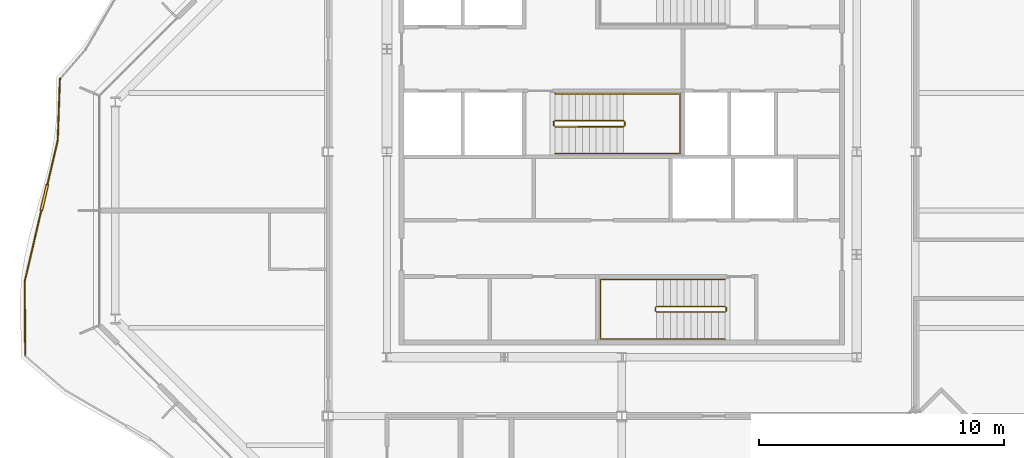
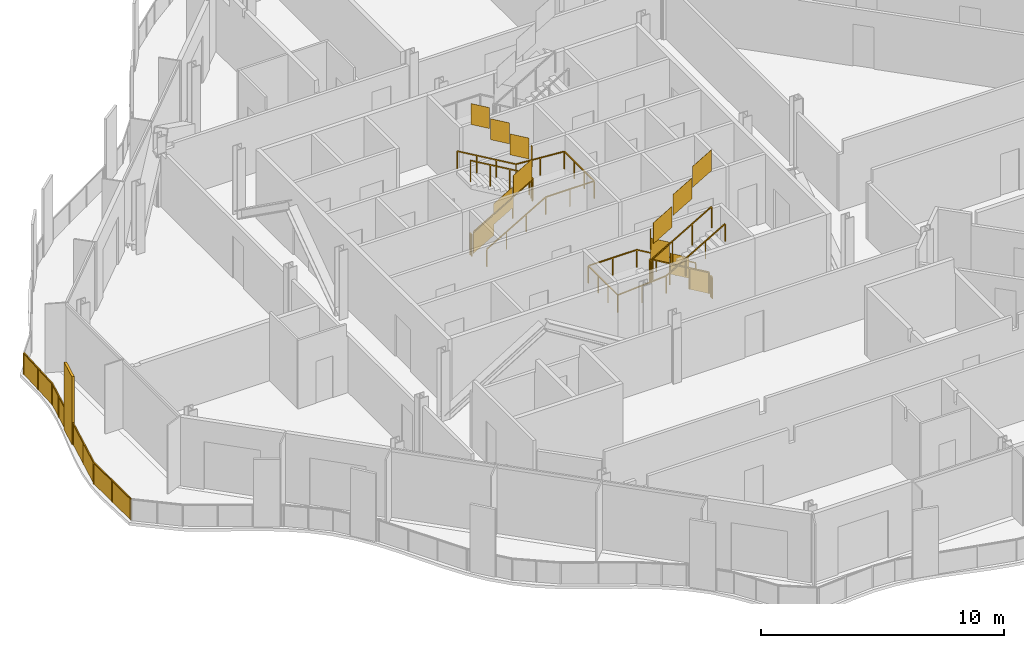
# One storey, part 14 of 17: 7 railings.
"""IFC4 building model written with IfcOpenShell, lengths in metres."""

from ifc_helpers import new_model, si_unit, direction, frame, origin, origin_2d, place, context, subcontext, project, spatial, polyline, rectangle, outline, extrude, material, type_object, element, save


model = new_model("IFC4")

# Units and contexts
model_context = context("Model", 3, precision=1e-05, world=origin(), true_north=direction((0.0, 1.0)))
body_context = subcontext(model_context, "Body", "Model", "MODEL_VIEW")
ifc_project = project(units=[si_unit("LENGTHUNIT", "METRE"), si_unit("AREAUNIT", "SQUARE_METRE"), si_unit("VOLUMEUNIT", "CUBIC_METRE"), si_unit("PLANEANGLEUNIT", "RADIAN"), si_unit("MASSUNIT", "GRAM", prefix="KILO")], contexts=[model_context])

# Site, building, storey
site_placement = place(None, origin())
site = spatial("IfcSite", under=ifc_project, at=site_placement, CompositionType="ELEMENT")
building_placement = place(site_placement, origin())
building = spatial("IfcBuilding", under=site, at=building_placement, Name="Cairn Pilgrim Tower", CompositionType="ELEMENT")
storey_placement = place(building_placement, frame((0.0, 0.0, 239.39990234375)))
storey = spatial("IfcBuildingStorey", under=building, at=storey_placement, Name="L61", CompositionType="ELEMENT", Elevation=239.39990234375)

# Railings
ifc_material_1 = material(Name="Bronze anodised aluminium rail, posts and fin screens with laminated glass infill", Category="aluminium")
railing_type_1 = type_object("IfcRailingType", Name="BALCONY GUARD WITH FIN SCREENS", PredefinedType="GUARDRAIL", material=ifc_material_1)
railing_1_placement = place(storey_placement, frame((-15.768798828125, 5.3701171875, 0.0)))
element("IfcRailing", 1, at=railing_1_placement, inside=storey, type_object=railing_type_1, Name="Balcony guard BGF-7 with fin screens", PredefinedType="GUARDRAIL", context=body_context, shape_type="SweptSolid", body=[
    extrude(rectangle(XDim=0.050048828125, YDim=0.050048828125, at=origin_2d()), frame((0.0, 0.0, 1.0751953125), z_axis=(-0.035480030222, -0.999370385521, 0.0), x_axis=(0.999370385521, -0.035480030222, 0.0)), (0.0, 0.0, 1.0), 2.511474609375),
    extrude(rectangle(XDim=1.10009765625, YDim=0.110107421875, at=origin_2d()), frame((-0.6357421875, -4.841552734375, 0.0), z_axis=(0.0, 0.0, 1.0), x_axis=(-0.22820844639, -0.973612297065, 0.0)), (0.0, 0.0, 1.0), 3.39990234375),
    extrude(rectangle(XDim=0.050048828125, YDim=0.050048828125, at=origin_2d()), frame((-0.089111328125, -2.510009765625, 1.0751953125), z_axis=(-0.22820844639, -0.973612297065, 0.0), x_axis=(0.973612297065, -0.22820844639, 0.0)), (0.0, 0.0, 1.0), 1.8447265625),
    extrude(rectangle(XDim=0.050048828125, YDim=0.050048828125, at=origin_2d()), frame((-0.76123046875, -5.377197265625, 1.0751953125), z_axis=(-0.22820844639, -0.973612297065, 0.0), x_axis=(0.973612297065, -0.22820844639, 0.0)), (0.0, 0.0, 1.0), 2.968017578125),
    extrude(rectangle(XDim=0.050048828125, YDim=0.050048828125, at=origin_2d()), frame((-1.4384765625, -8.266845703125, 1.0751953125), z_axis=(0.006776460996, -0.999977039525, 0.0), x_axis=(0.999977039525, 0.006776460996, 0.0)), (0.0, 0.0, 1.0), 2.990234375),
    extrude(rectangle(XDim=0.050048828125, YDim=0.050048828125, at=origin_2d()), origin(), (0.0, 0.0, 1.0), 1.050048828125),
    extrude(rectangle(XDim=0.050048828125, YDim=0.050048828125, at=origin_2d()), frame((-0.044677734375, -1.2548828125, 0.0)), (0.0, 0.0, 1.0), 1.050048828125),
    extrude(rectangle(XDim=0.050048828125, YDim=0.050048828125, at=origin_2d()), frame((-0.089111328125, -2.510009765625, 0.0)), (0.0, 0.0, 1.0), 1.050048828125),
    extrude(rectangle(XDim=0.050048828125, YDim=0.050048828125, at=origin_2d()), frame((-0.296875, -3.39599609375, 0.0)), (0.0, 0.0, 1.0), 1.050048828125),
    extrude(rectangle(XDim=0.050048828125, YDim=0.050048828125, at=origin_2d()), frame((-0.50439453125, -4.28173828125, 0.0)), (0.0, 0.0, 1.0), 1.050048828125),
    extrude(rectangle(XDim=0.050048828125, YDim=0.050048828125, at=origin_2d()), frame((-0.766845703125, -5.4013671875, 0.0)), (0.0, 0.0, 1.0), 1.050048828125),
    extrude(rectangle(XDim=0.050048828125, YDim=0.050048828125, at=origin_2d()), frame((-1.102783203125, -6.834228515625, 0.0)), (0.0, 0.0, 1.0), 1.050048828125),
    extrude(rectangle(XDim=0.050048828125, YDim=0.050048828125, at=origin_2d()), frame((-1.4384765625, -8.266845703125, 0.0)), (0.0, 0.0, 1.0), 1.050048828125),
    extrude(rectangle(XDim=0.050048828125, YDim=0.050048828125, at=origin_2d()), frame((-1.42822265625, -9.761962890625, 0.0)), (0.0, 0.0, 1.0), 1.050048828125),
    extrude(rectangle(XDim=0.050048828125, YDim=0.050048828125, at=origin_2d()), frame((-1.418212890625, -11.257080078125, 0.0)), (0.0, 0.0, 1.0), 1.050048828125),
    extrude(outline(polyline([(0.02490234375, 0.0), (1.230712890625, 0.0), (1.230712890625, 1.050048828125), (0.02490234375, 1.050048828125), (0.02490234375, 0.0)])), frame((0.005859375, -0.000244140625, 0.0), z_axis=(-0.999370385521, 0.035480030222, 0.0), x_axis=(-0.035480030222, -0.999370385521, 0.0)), (0.0, 0.0, 1.0), 0.011962890625),
    extrude(outline(polyline([(0.02490234375, 0.0), (1.230712890625, 0.0), (1.230712890625, 1.050048828125), (0.02490234375, 1.050048828125), (0.02490234375, 0.0)])), frame((-0.03857421875, -1.255126953125, 0.0), z_axis=(-0.999370385521, 0.035480030222, 0.0), x_axis=(-0.035480030222, -0.999370385521, 0.0)), (0.0, 0.0, 1.0), 0.011962890625),
    extrude(outline(polyline([(0.02490234375, 0.0), (0.884765625, 0.0), (0.884765625, 1.050048828125), (0.02490234375, 1.050048828125), (0.02490234375, 0.0)])), frame((-0.083251953125, -2.511474609375, 0.0), z_axis=(-0.973612297065, 0.22820844639, 0.0), x_axis=(-0.22820844639, -0.973612297065, 0.0)), (0.0, 0.0, 1.0), 0.011962890625),
    extrude(outline(polyline([(0.02490234375, 0.0), (0.884765625, 0.0), (0.884765625, 1.050048828125), (0.02490234375, 1.050048828125), (0.02490234375, 0.0)])), frame((-0.291015625, -3.397216796875, 0.0), z_axis=(-0.973612297065, 0.22820844639, 0.0), x_axis=(-0.22820844639, -0.973612297065, 0.0)), (0.0, 0.0, 1.0), 0.011962890625),
    extrude(outline(polyline([(0.02490234375, 0.0), (1.446533203125, 0.0), (1.446533203125, 1.050048828125), (0.02490234375, 1.050048828125), (0.02490234375, 0.0)])), frame((-0.760986328125, -5.40283203125, 0.0), z_axis=(-0.973612297065, 0.22820844639, 0.0), x_axis=(-0.22820844639, -0.973612297065, 0.0)), (0.0, 0.0, 1.0), 0.011962890625),
    extrude(outline(polyline([(0.02490234375, 0.0), (1.446533203125, 0.0), (1.446533203125, 1.050048828125), (0.02490234375, 1.050048828125), (0.02490234375, 0.0)])), frame((-1.096923828125, -6.83544921875, 0.0), z_axis=(-0.973612297065, 0.22820844639, 0.0), x_axis=(-0.22820844639, -0.973612297065, 0.0)), (0.0, 0.0, 1.0), 0.011962890625),
    extrude(outline(polyline([(0.02490234375, 0.0), (1.47021484375, 0.0), (1.47021484375, 1.050048828125), (0.02490234375, 1.050048828125), (0.02490234375, 0.0)])), frame((-1.4326171875, -8.266845703125, 0.0), z_axis=(-0.999977039525, -0.006776460996, 0.0), x_axis=(0.006776460996, -0.999977039525, 0.0)), (0.0, 0.0, 1.0), 0.011962890625),
    extrude(outline(polyline([(0.02490234375, 0.0), (1.47021484375, 0.0), (1.47021484375, 1.050048828125), (0.02490234375, 1.050048828125), (0.02490234375, 0.0)])), frame((-1.42236328125, -9.761962890625, 0.0), z_axis=(-0.999977039525, -0.006776460996, 0.0), x_axis=(0.006776460996, -0.999977039525, 0.0)), (0.0, 0.0, 1.0), 0.011962890625),
])
ifc_material_2 = material(Name="Painted steel", Category="steel")
railing_type_2 = type_object("IfcRailingType", Name="STAIR GUARD 1100", PredefinedType="GUARDRAIL", material=ifc_material_2)
railing_2_placement = place(storey_placement, frame((11.425048828125, -3.925048828125, 0.163818359375)))
element("IfcRailing", 2, at=railing_2_placement, inside=storey, type_object=railing_type_2, Name="L61 ST-A stair guard 1", PredefinedType="GUARDRAIL", context=body_context, shape_type="SweptSolid", body=[
    extrude(rectangle(XDim=0.048095703125, YDim=0.048095703125, at=origin_2d()), frame((0.0, 0.0, 1.076171875), z_axis=(-0.863393664356, 0.0, 0.504530851732), x_axis=(0.0, -1.0, 0.0)), (0.0, 0.0, 1.0), 3.2431640625),
    extrude(rectangle(XDim=0.048095703125, YDim=0.048095703125, at=origin_2d()), frame((-2.800048828125, 0.0, 2.71240234375), z_axis=(-0.707106781187, -0.707106781187, 0.0), x_axis=(0.707106781187, -0.707106781187, 0.0)), (0.0, 0.0, 1.0), 0.07080078125),
    extrude(rectangle(XDim=0.048095703125, YDim=0.048095703125, at=origin_2d()), frame((-2.85009765625, -0.050048828125, 2.71240234375), z_axis=(0.0, -1.0, 0.0), x_axis=(1.0, 0.0, 0.0)), (0.0, 0.0, 1.0), 0.125),
    extrude(rectangle(XDim=0.048095703125, YDim=0.048095703125, at=origin_2d()), frame((-2.85009765625, -0.175048828125, 2.71240234375), z_axis=(0.280916556609, -0.279546231943, 0.91811752648), x_axis=(0.705375805398, 0.708833529934, 0.0)), (0.0, 0.0, 1.0), 0.17822265625),
    extrude(rectangle(XDim=0.048095703125, YDim=0.048095703125, at=origin_2d()), frame((-2.800048828125, -0.224853515625, 2.8759765625), z_axis=(0.863360870873, 0.0, 0.504586966384), x_axis=(0.0, 1.0, 0.0)), (0.0, 0.0, 1.0), 3.2431640625),
    extrude(rectangle(XDim=0.0419921875, YDim=0.0419921875, at=origin_2d()), origin(), (0.0, 0.0, 1.0), 1.052001953125),
    extrude(rectangle(XDim=0.0419921875, YDim=0.0419921875, at=origin_2d()), frame((-0.933349609375, 0.0, 0.54541015625)), (0.0, 0.0, 1.0), 1.052001953125),
    extrude(rectangle(XDim=0.0419921875, YDim=0.0419921875, at=origin_2d()), frame((-1.86669921875, 0.0, 1.0908203125)), (0.0, 0.0, 1.0), 1.052001953125),
    extrude(rectangle(XDim=0.0419921875, YDim=0.0419921875, at=origin_2d()), frame((-2.800048828125, 0.0, 1.63623046875)), (0.0, 0.0, 1.0), 1.052001953125),
    extrude(rectangle(XDim=0.0419921875, YDim=0.0419921875, at=origin_2d()), frame((-2.85009765625, -0.050048828125, 1.63623046875)), (0.0, 0.0, 1.0), 1.052001953125),
    extrude(rectangle(XDim=0.0419921875, YDim=0.0419921875, at=origin_2d()), frame((-2.85009765625, -0.175048828125, 1.63623046875)), (0.0, 0.0, 1.0), 1.052001953125),
    extrude(rectangle(XDim=0.0419921875, YDim=0.0419921875, at=origin_2d()), frame((-2.800048828125, -0.224853515625, 1.7998046875)), (0.0, 0.0, 1.0), 1.052001953125),
    extrude(rectangle(XDim=0.0419921875, YDim=0.0419921875, at=origin_2d()), frame((-1.86669921875, -0.224853515625, 2.34521484375)), (0.0, 0.0, 1.0), 1.052001953125),
    extrude(rectangle(XDim=0.0419921875, YDim=0.0419921875, at=origin_2d()), frame((-0.933349609375, -0.224853515625, 2.890869140625)), (0.0, 0.0, 1.0), 1.052001953125),
    extrude(rectangle(XDim=0.0419921875, YDim=0.0419921875, at=origin_2d()), frame((0.0, -0.224853515625, 3.436279296875)), (0.0, 0.0, 1.0), 1.052001953125),
    extrude(outline(polyline([(0.02099609375, 0.01220703125), (0.912353515625, 0.533203125), (0.912353515625, 1.585205078125), (0.02099609375, 1.064208984375), (0.02099609375, 0.01220703125)])), frame((0.0, -0.005859375, 0.0), z_axis=(0.0, 1.0, 0.0), x_axis=(-1.0, 0.0, 0.0)), (0.0, 0.0, 1.0), 0.011962890625),
    extrude(outline(polyline([(0.02099609375, 0.5576171875), (0.912353515625, 1.07861328125), (0.912353515625, 2.130615234375), (0.02099609375, 1.609619140625), (0.02099609375, 0.5576171875)])), frame((-0.933349609375, -0.005859375, 0.54541015625), z_axis=(0.0, 1.0, 0.0), x_axis=(-1.0, 0.0, 0.0)), (0.0, 0.0, 1.0), 0.011962890625),
    extrude(outline(polyline([(0.02099609375, 1.10302734375), (0.912353515625, 1.6240234375), (0.912353515625, 2.676025390625), (0.02099609375, 2.155029296875), (0.02099609375, 1.10302734375)])), frame((-1.86669921875, -0.005859375, 1.0908203125), z_axis=(0.0, 1.0, 0.0), x_axis=(-1.0, 0.0, 0.0)), (0.0, 0.0, 1.0), 0.011962890625),
    extrude(outline(polyline([(0.02099609375, 1.63623046875), (0.10400390625, 1.63623046875), (0.10400390625, 2.688232421875), (0.02099609375, 2.688232421875), (0.02099609375, 1.63623046875)])), frame((-2.84423828125, -0.050048828125, 1.63623046875), z_axis=(-1.0, 0.0, 0.0), x_axis=(0.0, -1.0, 0.0)), (0.0, 0.0, 1.0), 0.011962890625),
    extrude(outline(polyline([(0.02099609375, 1.81201171875), (0.912353515625, 2.3330078125), (0.912353515625, 3.385009765625), (0.02099609375, 2.864013671875), (0.02099609375, 1.81201171875)])), frame((-2.800048828125, -0.21875, 1.7998046875), z_axis=(0.0, -1.0, 0.0), x_axis=(1.0, 0.0, 0.0)), (0.0, 0.0, 1.0), 0.011962890625),
    extrude(outline(polyline([(0.02099609375, 2.357666015625), (0.912353515625, 2.87841796875), (0.912353515625, 3.930419921875), (0.02099609375, 3.40966796875), (0.02099609375, 2.357666015625)])), frame((-1.86669921875, -0.21875, 2.34521484375), z_axis=(0.0, -1.0, 0.0), x_axis=(1.0, 0.0, 0.0)), (0.0, 0.0, 1.0), 0.011962890625),
    extrude(outline(polyline([(0.02099609375, 2.903076171875), (0.912353515625, 3.424072265625), (0.912353515625, 4.47607421875), (0.02099609375, 3.955078125), (0.02099609375, 2.903076171875)])), frame((-0.933349609375, -0.21875, 2.890869140625), z_axis=(0.0, -1.0, 0.0), x_axis=(1.0, 0.0, 0.0)), (0.0, 0.0, 1.0), 0.011962890625),
])
railing_3_placement = place(storey_placement, frame((11.47509765625, -3.97509765625, 0.0)))
element("IfcRailing", 3, at=railing_3_placement, inside=storey, type_object=railing_type_2, Name="L61 ST-A stair guard 2", PredefinedType="GUARDRAIL", context=body_context, shape_type="SweptSolid", body=[
    extrude(rectangle(XDim=0.048095703125, YDim=0.048095703125, at=origin_2d()), frame((0.0, 0.0, 1.076171875), z_axis=(0.0, -1.0, 0.0), x_axis=(1.0, 0.0, 0.0)), (0.0, 0.0, 1.0), 0.125),
    extrude(rectangle(XDim=0.0419921875, YDim=0.0419921875, at=origin_2d()), origin(), (0.0, 0.0, 1.0), 1.052001953125),
    extrude(rectangle(XDim=0.0419921875, YDim=0.0419921875, at=origin_2d()), frame((0.0, -0.125, 0.0)), (0.0, 0.0, 1.0), 1.052001953125),
    extrude(outline(polyline([(0.02099609375, 0.0), (0.10400390625, 0.0), (0.10400390625, 1.052001953125), (0.02099609375, 1.052001953125), (0.02099609375, 0.0)])), frame((0.005859375, 0.0, 0.0), z_axis=(-1.0, 0.0, 0.0), x_axis=(0.0, -1.0, 0.0)), (0.0, 0.0, 1.0), 0.011962890625),
])
railing_4_placement = place(storey_placement, frame((4.47509765625, 3.425048828125, 0.163818359375)))
element("IfcRailing", 4, at=railing_4_placement, inside=storey, type_object=railing_type_2, Name="L61 ST-B stair guard 1", PredefinedType="GUARDRAIL", context=body_context, shape_type="SweptSolid", body=[
    extrude(rectangle(XDim=0.048095703125, YDim=0.048095703125, at=origin_2d()), frame((0.0, 0.0, 1.076171875), z_axis=(0.863374499697, 0.0, 0.504563646405), x_axis=(0.0, 1.0, 0.0)), (0.0, 0.0, 1.0), 3.242919921875),
    extrude(rectangle(XDim=0.048095703125, YDim=0.048095703125, at=origin_2d()), frame((2.7998046875, 0.0, 2.71240234375), z_axis=(0.707106781187, 0.707106781187, 0.0), x_axis=(-0.707106781187, 0.707106781187, 0.0)), (0.0, 0.0, 1.0), 0.07080078125),
    extrude(rectangle(XDim=0.048095703125, YDim=0.048095703125, at=origin_2d()), frame((2.849853515625, 0.050048828125, 2.71240234375), z_axis=(0.0, 1.0, 0.0), x_axis=(-1.0, 0.0, 0.0)), (0.0, 0.0, 1.0), 0.14990234375),
    extrude(rectangle(XDim=0.048095703125, YDim=0.048095703125, at=origin_2d()), frame((2.849853515625, 0.199951171875, 2.71240234375), z_axis=(-0.280808744504, 0.280808744504, 0.917765164963), x_axis=(-0.707106781187, -0.707106781187, 0.0)), (0.0, 0.0, 1.0), 0.17822265625),
    extrude(rectangle(XDim=0.048095703125, YDim=0.048095703125, at=origin_2d()), frame((2.7998046875, 0.25, 2.8759765625), z_axis=(-0.863341702679, 0.0, 0.504619762213), x_axis=(0.0, -1.0, 0.0)), (0.0, 0.0, 1.0), 3.242919921875),
    extrude(rectangle(XDim=0.0419921875, YDim=0.0419921875, at=origin_2d()), origin(), (0.0, 0.0, 1.0), 1.052001953125),
    extrude(rectangle(XDim=0.0419921875, YDim=0.0419921875, at=origin_2d()), frame((0.933349609375, 0.0, 0.54541015625)), (0.0, 0.0, 1.0), 1.052001953125),
    extrude(rectangle(XDim=0.0419921875, YDim=0.0419921875, at=origin_2d()), frame((1.866455078125, 0.0, 1.0908203125)), (0.0, 0.0, 1.0), 1.052001953125),
    extrude(rectangle(XDim=0.0419921875, YDim=0.0419921875, at=origin_2d()), frame((2.7998046875, 0.0, 1.63623046875)), (0.0, 0.0, 1.0), 1.052001953125),
    extrude(rectangle(XDim=0.0419921875, YDim=0.0419921875, at=origin_2d()), frame((2.849853515625, 0.050048828125, 1.63623046875)), (0.0, 0.0, 1.0), 1.052001953125),
    extrude(rectangle(XDim=0.0419921875, YDim=0.0419921875, at=origin_2d()), frame((2.849853515625, 0.199951171875, 1.63623046875)), (0.0, 0.0, 1.0), 1.052001953125),
    extrude(rectangle(XDim=0.0419921875, YDim=0.0419921875, at=origin_2d()), frame((2.7998046875, 0.25, 1.7998046875)), (0.0, 0.0, 1.0), 1.052001953125),
    extrude(rectangle(XDim=0.0419921875, YDim=0.0419921875, at=origin_2d()), frame((1.866455078125, 0.25, 2.34521484375)), (0.0, 0.0, 1.0), 1.052001953125),
    extrude(rectangle(XDim=0.0419921875, YDim=0.0419921875, at=origin_2d()), frame((0.933349609375, 0.25, 2.890869140625)), (0.0, 0.0, 1.0), 1.052001953125),
    extrude(rectangle(XDim=0.0419921875, YDim=0.0419921875, at=origin_2d()), frame((0.0, 0.25, 3.436279296875)), (0.0, 0.0, 1.0), 1.052001953125),
    extrude(outline(polyline([(0.02099609375, 0.01220703125), (0.912353515625, 0.533203125), (0.912353515625, 1.585205078125), (0.02099609375, 1.064208984375), (0.02099609375, 0.01220703125)])), frame((0.0, 0.005859375, 0.0), z_axis=(0.0, -1.0, 0.0), x_axis=(1.0, 0.0, 0.0)), (0.0, 0.0, 1.0), 0.011962890625),
    extrude(outline(polyline([(0.02099609375, 0.5576171875), (0.912353515625, 1.07861328125), (0.912353515625, 2.130615234375), (0.02099609375, 1.609619140625), (0.02099609375, 0.5576171875)])), frame((0.933349609375, 0.005859375, 0.54541015625), z_axis=(0.0, -1.0, 0.0), x_axis=(1.0, 0.0, 0.0)), (0.0, 0.0, 1.0), 0.011962890625),
    extrude(outline(polyline([(0.02099609375, 1.10302734375), (0.912353515625, 1.6240234375), (0.912353515625, 2.676025390625), (0.02099609375, 2.155029296875), (0.02099609375, 1.10302734375)])), frame((1.866455078125, 0.005859375, 1.0908203125), z_axis=(0.0, -1.0, 0.0), x_axis=(1.0, 0.0, 0.0)), (0.0, 0.0, 1.0), 0.011962890625),
    extrude(outline(polyline([(0.02099609375, 1.63623046875), (0.12890625, 1.63623046875), (0.12890625, 2.688232421875), (0.02099609375, 2.688232421875), (0.02099609375, 1.63623046875)])), frame((2.84375, 0.050048828125, 1.63623046875), z_axis=(1.0, 0.0, 0.0), x_axis=(0.0, 1.0, 0.0)), (0.0, 0.0, 1.0), 0.011962890625),
    extrude(outline(polyline([(0.02099609375, 1.81201171875), (0.912353515625, 2.3330078125), (0.912353515625, 3.385009765625), (0.02099609375, 2.864013671875), (0.02099609375, 1.81201171875)])), frame((2.7998046875, 0.244140625, 1.7998046875), z_axis=(0.0, 1.0, 0.0), x_axis=(-1.0, 0.0, 0.0)), (0.0, 0.0, 1.0), 0.011962890625),
    extrude(outline(polyline([(0.02099609375, 2.357666015625), (0.912353515625, 2.87841796875), (0.912353515625, 3.930419921875), (0.02099609375, 3.40966796875), (0.02099609375, 2.357666015625)])), frame((1.866455078125, 0.244140625, 2.34521484375), z_axis=(0.0, 1.0, 0.0), x_axis=(-1.0, 0.0, 0.0)), (0.0, 0.0, 1.0), 0.011962890625),
    extrude(outline(polyline([(0.02099609375, 2.903076171875), (0.912353515625, 3.424072265625), (0.912353515625, 4.47607421875), (0.02099609375, 3.955078125), (0.02099609375, 2.903076171875)])), frame((0.933349609375, 0.244140625, 2.890869140625), z_axis=(0.0, 1.0, 0.0), x_axis=(-1.0, 0.0, 0.0)), (0.0, 0.0, 1.0), 0.011962890625),
])
railing_5_placement = place(storey_placement, frame((4.425048828125, 3.47509765625, 0.0)))
element("IfcRailing", 5, at=railing_5_placement, inside=storey, type_object=railing_type_2, Name="L61 ST-B stair guard 2", PredefinedType="GUARDRAIL", context=body_context, shape_type="SweptSolid", body=[
    extrude(rectangle(XDim=0.048095703125, YDim=0.048095703125, at=origin_2d()), frame((0.0, 0.0, 1.076171875), z_axis=(0.0, 1.0, 0.0), x_axis=(-1.0, 0.0, 0.0)), (0.0, 0.0, 1.0), 0.14990234375),
    extrude(rectangle(XDim=0.0419921875, YDim=0.0419921875, at=origin_2d()), origin(), (0.0, 0.0, 1.0), 1.052001953125),
    extrude(rectangle(XDim=0.0419921875, YDim=0.0419921875, at=origin_2d()), frame((0.0, 0.14990234375, 0.0)), (0.0, 0.0, 1.0), 1.052001953125),
    extrude(outline(polyline([(0.02099609375, 0.0), (0.12890625, 0.0), (0.12890625, 1.052001953125), (0.02099609375, 1.052001953125), (0.02099609375, 0.0)])), frame((-0.005859375, 0.0, 0.0), z_axis=(1.0, 0.0, 0.0), x_axis=(0.0, 1.0, 0.0)), (0.0, 0.0, 1.0), 0.011962890625),
])
railing_type_3 = type_object("IfcRailingType", Name="STAIR HANDRAIL 900", PredefinedType="HANDRAIL", material=ifc_material_2)
railing_6_placement = place(storey_placement, frame((11.425048828125, -2.824951171875, 0.163818359375)))
element("IfcRailing", 6, at=railing_6_placement, inside=storey, type_object=railing_type_3, Name="L61 ST-A stair handrail 1", PredefinedType="HANDRAIL", context=body_context, shape_type="SweptSolid", body=[
    extrude(rectangle(XDim=0.048095703125, YDim=0.048095703125, at=origin_2d()), frame((0.0, 0.0, 0.8759765625), z_axis=(-0.863393664356, 0.0, 0.504530851732), x_axis=(0.0, -1.0, 0.0)), (0.0, 0.0, 1.0), 3.2431640625),
    extrude(rectangle(XDim=0.048095703125, YDim=0.048095703125, at=origin_2d()), frame((-2.800048828125, 0.0, 2.51220703125), z_axis=(-1.0, 0.0, 0.0), x_axis=(0.0, -1.0, 0.0)), (0.0, 0.0, 1.0), 2.300048828125),
    extrude(rectangle(XDim=0.048095703125, YDim=0.048095703125, at=origin_2d()), frame((-5.10009765625, 0.0, 2.51220703125), z_axis=(0.0, -1.0, 0.0), x_axis=(1.0, 0.0, 0.0)), (0.0, 0.0, 1.0), 2.425048828125),
    extrude(rectangle(XDim=0.048095703125, YDim=0.048095703125, at=origin_2d()), frame((-5.10009765625, -2.425048828125, 2.51220703125), z_axis=(0.997480687736, 0.0, 0.070938548008), x_axis=(0.0, 1.0, 0.0)), (0.0, 0.0, 1.0), 2.305908203125),
    extrude(rectangle(XDim=0.048095703125, YDim=0.048095703125, at=origin_2d()), frame((-2.800048828125, -2.425048828125, 2.67578125), z_axis=(0.863360870873, 0.0, 0.504586966384), x_axis=(0.0, 1.0, 0.0)), (0.0, 0.0, 1.0), 3.2431640625),
    extrude(rectangle(XDim=0.0419921875, YDim=0.0419921875, at=origin_2d()), origin(), (0.0, 0.0, 1.0), 0.851806640625),
    extrude(rectangle(XDim=0.0419921875, YDim=0.0419921875, at=origin_2d()), frame((-0.933349609375, 0.0, 0.54541015625)), (0.0, 0.0, 1.0), 0.851806640625),
    extrude(rectangle(XDim=0.0419921875, YDim=0.0419921875, at=origin_2d()), frame((-1.86669921875, 0.0, 1.0908203125)), (0.0, 0.0, 1.0), 0.851806640625),
    extrude(rectangle(XDim=0.0419921875, YDim=0.0419921875, at=origin_2d()), frame((-2.800048828125, 0.0, 1.63623046875)), (0.0, 0.0, 1.0), 0.851806640625),
    extrude(rectangle(XDim=0.0419921875, YDim=0.0419921875, at=origin_2d()), frame((-3.9501953125, 0.0, 1.63623046875)), (0.0, 0.0, 1.0), 0.851806640625),
    extrude(rectangle(XDim=0.0419921875, YDim=0.0419921875, at=origin_2d()), frame((-5.10009765625, 0.0, 1.63623046875)), (0.0, 0.0, 1.0), 0.851806640625),
    extrude(rectangle(XDim=0.0419921875, YDim=0.0419921875, at=origin_2d()), frame((-5.10009765625, -0.808349609375, 1.63623046875)), (0.0, 0.0, 1.0), 0.851806640625),
    extrude(rectangle(XDim=0.0419921875, YDim=0.0419921875, at=origin_2d()), frame((-5.10009765625, -1.61669921875, 1.63623046875)), (0.0, 0.0, 1.0), 0.851806640625),
    extrude(rectangle(XDim=0.0419921875, YDim=0.0419921875, at=origin_2d()), frame((-5.10009765625, -2.425048828125, 1.63623046875)), (0.0, 0.0, 1.0), 0.851806640625),
    extrude(rectangle(XDim=0.0419921875, YDim=0.0419921875, at=origin_2d()), frame((-3.9501953125, -2.425048828125, 1.718017578125)), (0.0, 0.0, 1.0), 0.851806640625),
    extrude(rectangle(XDim=0.0419921875, YDim=0.0419921875, at=origin_2d()), frame((-2.800048828125, -2.425048828125, 1.7998046875)), (0.0, 0.0, 1.0), 0.851806640625),
    extrude(rectangle(XDim=0.0419921875, YDim=0.0419921875, at=origin_2d()), frame((-1.86669921875, -2.425048828125, 2.34521484375)), (0.0, 0.0, 1.0), 0.851806640625),
    extrude(rectangle(XDim=0.0419921875, YDim=0.0419921875, at=origin_2d()), frame((-0.933349609375, -2.425048828125, 2.890869140625)), (0.0, 0.0, 1.0), 0.851806640625),
    extrude(rectangle(XDim=0.0419921875, YDim=0.0419921875, at=origin_2d()), frame((0.0, -2.425048828125, 3.436279296875)), (0.0, 0.0, 1.0), 0.851806640625),
])
railing_7_placement = place(storey_placement, frame((4.47509765625, 2.324951171875, 0.163818359375)))
element("IfcRailing", 7, at=railing_7_placement, inside=storey, type_object=railing_type_3, Name="L61 ST-B stair handrail 1", PredefinedType="HANDRAIL", context=body_context, shape_type="SweptSolid", body=[
    extrude(rectangle(XDim=0.048095703125, YDim=0.048095703125, at=origin_2d()), frame((0.0, 0.0, 0.8759765625), z_axis=(0.863374499697, 0.0, 0.504563646405), x_axis=(0.0, 1.0, 0.0)), (0.0, 0.0, 1.0), 3.242919921875),
    extrude(rectangle(XDim=0.048095703125, YDim=0.048095703125, at=origin_2d()), frame((2.7998046875, 0.0, 2.51220703125), z_axis=(1.0, 0.0, 0.0), x_axis=(0.0, 1.0, 0.0)), (0.0, 0.0, 1.0), 2.300048828125),
    extrude(rectangle(XDim=0.048095703125, YDim=0.048095703125, at=origin_2d()), frame((5.099853515625, 0.0, 2.51220703125), z_axis=(0.0, 1.0, 0.0), x_axis=(-1.0, 0.0, 0.0)), (0.0, 0.0, 1.0), 2.449951171875),
    extrude(rectangle(XDim=0.048095703125, YDim=0.048095703125, at=origin_2d()), frame((5.099853515625, 2.449951171875, 2.51220703125), z_axis=(-0.997480687736, 0.0, 0.070938548008), x_axis=(0.0, -1.0, 0.0)), (0.0, 0.0, 1.0), 2.305908203125),
    extrude(rectangle(XDim=0.048095703125, YDim=0.048095703125, at=origin_2d()), frame((2.7998046875, 2.449951171875, 2.67578125), z_axis=(-0.863341702679, 0.0, 0.504619762213), x_axis=(0.0, -1.0, 0.0)), (0.0, 0.0, 1.0), 3.242919921875),
    extrude(rectangle(XDim=0.0419921875, YDim=0.0419921875, at=origin_2d()), origin(), (0.0, 0.0, 1.0), 0.851806640625),
    extrude(rectangle(XDim=0.0419921875, YDim=0.0419921875, at=origin_2d()), frame((0.933349609375, 0.0, 0.54541015625)), (0.0, 0.0, 1.0), 0.851806640625),
    extrude(rectangle(XDim=0.0419921875, YDim=0.0419921875, at=origin_2d()), frame((1.866455078125, 0.0, 1.0908203125)), (0.0, 0.0, 1.0), 0.851806640625),
    extrude(rectangle(XDim=0.0419921875, YDim=0.0419921875, at=origin_2d()), frame((2.7998046875, 0.0, 1.63623046875)), (0.0, 0.0, 1.0), 0.851806640625),
    extrude(rectangle(XDim=0.0419921875, YDim=0.0419921875, at=origin_2d()), frame((3.94970703125, 0.0, 1.63623046875)), (0.0, 0.0, 1.0), 0.851806640625),
    extrude(rectangle(XDim=0.0419921875, YDim=0.0419921875, at=origin_2d()), frame((5.099853515625, 0.0, 1.63623046875)), (0.0, 0.0, 1.0), 0.851806640625),
    extrude(rectangle(XDim=0.0419921875, YDim=0.0419921875, at=origin_2d()), frame((5.099853515625, 0.816650390625, 1.63623046875)), (0.0, 0.0, 1.0), 0.851806640625),
    extrude(rectangle(XDim=0.0419921875, YDim=0.0419921875, at=origin_2d()), frame((5.099853515625, 1.63330078125, 1.63623046875)), (0.0, 0.0, 1.0), 0.851806640625),
    extrude(rectangle(XDim=0.0419921875, YDim=0.0419921875, at=origin_2d()), frame((5.099853515625, 2.449951171875, 1.63623046875)), (0.0, 0.0, 1.0), 0.851806640625),
    extrude(rectangle(XDim=0.0419921875, YDim=0.0419921875, at=origin_2d()), frame((3.94970703125, 2.449951171875, 1.718017578125)), (0.0, 0.0, 1.0), 0.851806640625),
    extrude(rectangle(XDim=0.0419921875, YDim=0.0419921875, at=origin_2d()), frame((2.7998046875, 2.449951171875, 1.7998046875)), (0.0, 0.0, 1.0), 0.851806640625),
    extrude(rectangle(XDim=0.0419921875, YDim=0.0419921875, at=origin_2d()), frame((1.866455078125, 2.449951171875, 2.34521484375)), (0.0, 0.0, 1.0), 0.851806640625),
    extrude(rectangle(XDim=0.0419921875, YDim=0.0419921875, at=origin_2d()), frame((0.933349609375, 2.449951171875, 2.890869140625)), (0.0, 0.0, 1.0), 0.851806640625),
    extrude(rectangle(XDim=0.0419921875, YDim=0.0419921875, at=origin_2d()), frame((0.0, 2.449951171875, 3.436279296875)), (0.0, 0.0, 1.0), 0.851806640625),
])

save(model, "model.ifc")
